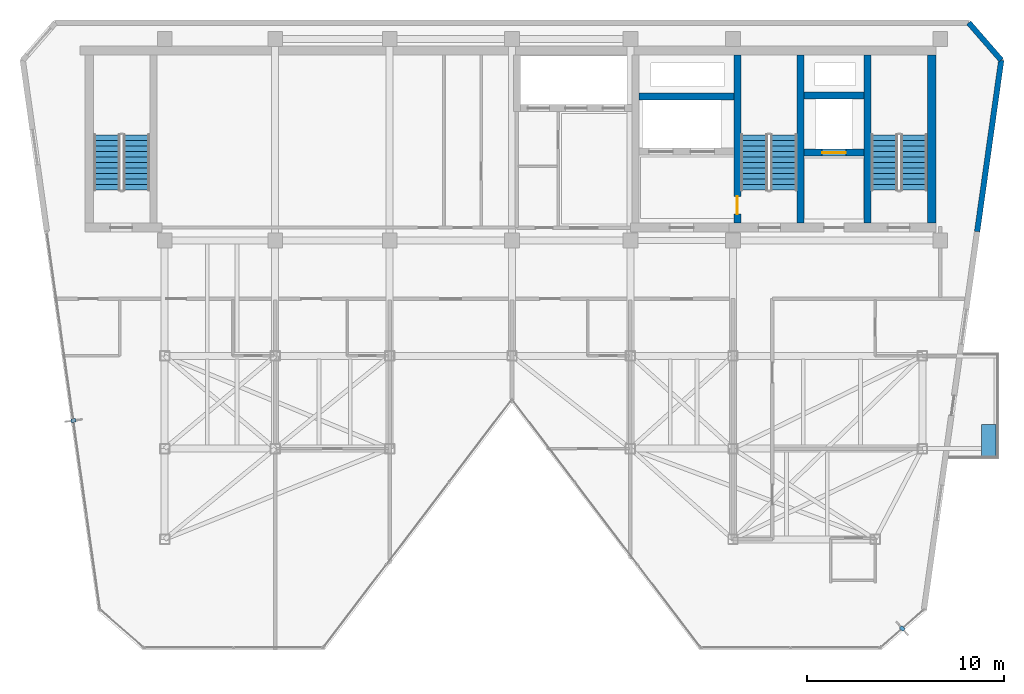
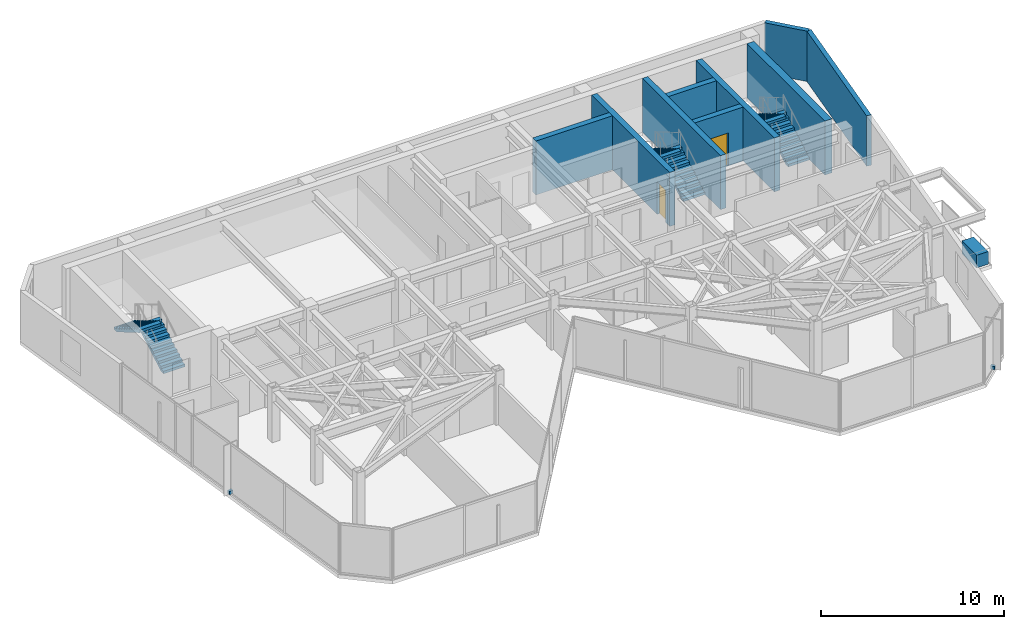
# One storey, part 18 of 20: 9 walls, 6 stair flights, 3 discrete accessories, 2 doors, 2 openings, 3 elements without a shape of their own.
"""IFC4 building model written with IfcOpenShell, lengths in metres."""

from ifc_helpers import new_model, si_unit, direction, frame, frame_2d, origin, origin_2d, place, context, subcontext, project, spatial, polyline, rectangle, outline, extrude, material, layer, layer_set, type_object, element, fill, aggregate, save


model = new_model("IFC4")

# Units and contexts
model_context = context("Model", 3, precision=1e-05, world=origin(), true_north=direction((0.0, 1.0)))
body_context = subcontext(model_context, "Body", "Model", "MODEL_VIEW")
ifc_project = project(units=[si_unit("LENGTHUNIT", "METRE"), si_unit("AREAUNIT", "SQUARE_METRE"), si_unit("VOLUMEUNIT", "CUBIC_METRE"), si_unit("PLANEANGLEUNIT", "RADIAN"), si_unit("MASSUNIT", "GRAM", prefix="KILO")], contexts=[model_context])

# Site, building, storey
site_placement = place(None, origin())
site = spatial("IfcSite", under=ifc_project, at=site_placement, CompositionType="ELEMENT")
building_placement = place(site_placement, origin())
building = spatial("IfcBuilding", under=site, at=building_placement, Name="Kravanh Interchange Tower", CompositionType="ELEMENT")
storey_placement = place(building_placement, frame((0.0, 0.0, 238.199951171875)))
storey = spatial("IfcBuildingStorey", under=building, at=storey_placement, Name="L57", CompositionType="ELEMENT", Elevation=238.199951171875)

# Walls
ifc_material_1 = material(Name="Concrete C60/75", Category="concrete")
ifc_layer_1 = layer(ifc_material_1, 0.35009765625)
ifc_layer_set_1 = layer_set([ifc_layer_1], Name="Core Shear Wall Concrete C60/75 350mm")
wall_type_1 = type_object("IfcWallType", Name="Core Shear Wall Concrete C60/75 350mm", PredefinedType="SHEAR", material=ifc_layer_set_1)
for number, where, z_axis, x_axis, name in (
    (1, (62.824951171875, 38.22509765625, 0.0), (0.0, 0.0, 1.0), (0.0, 1.0, 0.0), "L57 Stair ST1 West Shear Wall"),
    (2, (59.425048828125, 38.22509765625, 0.0), (0.0, 0.0, 1.0), (0.0, 1.0, 0.0), "L57 Stair ST2 East Shear Wall"),
):
    element("IfcWall", number, at=place(storey_placement, frame(where, z_axis=z_axis, x_axis=x_axis)), inside=storey, type_object=wall_type_1, Name=name, PredefinedType="SHEAR", context=body_context, shape_type="SweptSolid", body=[
        extrude(rectangle(XDim=8.52490234375, YDim=0.35009765625, at=frame_2d((4.262451171875, 0.0))), origin(), (0.0, 0.0, 1.0), 3.60009765625),
    ])

# Wall, opening, door
wall_1_placement = place(storey_placement, frame((56.22509765625, 38.22509765625, 0.0), z_axis=(0.0, 0.0, 1.0), x_axis=(0.0, 1.0, 0.0)))
wall_1 = element("IfcWall", 3, at=wall_1_placement, inside=storey, type_object=wall_type_1, Name="L57 Stair ST2 West Shear Wall", PredefinedType="SHEAR", context=body_context, shape_type="SweptSolid", body=[
    extrude(rectangle(XDim=8.52490234375, YDim=0.35009765625, at=frame_2d((4.262451171875, 0.0))), origin(), (0.0, 0.0, 1.0), 3.60009765625),
])
opening_1_placement = place(wall_1_placement, frame((0.455078125, 0.0, 0.0)))
opening_1 = element("IfcOpeningElement", 4, at=opening_1_placement, cuts=wall_1, Name="Opening D-STAIR-90", PredefinedType="OPENING", context=body_context, shape_type="SweptSolid", body=[
    extrude(rectangle(XDim=0.89990234375, YDim=2.14990234375, at=frame_2d((0.449951171875, 1.074951171875))), frame((0.0, 0.18505859375, 0.0), z_axis=(0.0, -1.0, 0.0), x_axis=(1.0, 0.0, 0.0)), (0.0, 0.0, 1.0), 0.3701171875),
])
ifc_material_2 = material(Name="Structural Steel S355", Category="steel")
door_type_1 = type_object("IfcDoorType", Name="Fire-Rated Stair Lobby Door 900x2150", OperationType="NOTDEFINED", PredefinedType="DOOR", material=ifc_material_2)
door_1_placement = place(opening_1_placement, origin())
door_1 = element("IfcDoor", 5, at=door_1_placement, inside=storey, type_object=door_type_1, Name="L57 Firefighting Lobby to Stair ST2 Door", OperationType="SINGLE_SWING_LEFT", OverallHeight=2.14990234375, OverallWidth=0.89990234375, PredefinedType="DOOR", context=body_context, shape_type="SweptSolid", body=[
    extrude(rectangle(XDim=0.89990234375, YDim=2.14990234375, at=frame_2d((0.449951171875, 1.074951171875))), frame((0.0, 0.02490234375, 0.0), z_axis=(0.0, -1.0, 0.0), x_axis=(1.0, 0.0, 0.0)), (0.0, 0.0, 1.0), 0.050048828125),
])
fill(opening_1, door_1)

wall_2_placement = place(storey_placement, frame((59.60009765625, 41.800048828125, 0.0), z_axis=(0.0, 0.0, 1.0), x_axis=(1.0, 0.0, 0.0)))
wall_2 = element("IfcWall", 6, at=wall_2_placement, inside=storey, type_object=wall_type_1, Name="L57 Service Lift Shaft South Wall", PredefinedType="SHEAR", context=body_context, shape_type="SweptSolid", body=[
    extrude(rectangle(XDim=3.0498046875, YDim=0.35009765625, at=frame_2d((1.52490234375, 0.0))), origin(), (0.0, 0.0, 1.0), 3.60009765625),
])
opening_2_placement = place(wall_2_placement, frame((0.919921875, 0.0, 0.0)))
opening_2 = element("IfcOpeningElement", 7, at=opening_2_placement, cuts=wall_2, Name="Opening LD02", PredefinedType="OPENING", context=body_context, shape_type="SweptSolid", body=[
    extrude(rectangle(XDim=1.199951171875, YDim=2.199951171875, at=frame_2d((0.60009765625, 1.10009765625))), frame((0.0, 0.18505859375, 0.0), z_axis=(0.0, -1.0, 0.0), x_axis=(1.0, 0.0, 0.0)), (0.0, 0.0, 1.0), 0.3701171875),
])
ifc_material_3 = material(Name="Stainless Steel 316", Category="steel")
door_type_2 = type_object("IfcDoorType", Name="Fire and Service Lift Sliding Landing Door 1200x2200", OperationType="DOUBLE_DOOR_SLIDING", PredefinedType="DOOR", material=ifc_material_3)
door_2_placement = place(opening_2_placement, origin())
door_2 = element("IfcDoor", 8, at=door_2_placement, inside=storey, type_object=door_type_2, Name="L57 Lift LS-01 Landing Door", OperationType="DOUBLE_DOOR_SLIDING", OverallHeight=2.199951171875, OverallWidth=1.199951171875, PredefinedType="DOOR", context=body_context, shape_type="SweptSolid", body=[
    extrude(rectangle(XDim=1.199951171875, YDim=2.199951171875, at=frame_2d((0.60009765625, 1.10009765625))), frame((0.0, 0.02490234375, 0.0), z_axis=(0.0, -1.0, 0.0), x_axis=(1.0, 0.0, 0.0)), (0.0, 0.0, 1.0), 0.050048828125),
])
fill(opening_2, door_2)

# Walls
wall_3_placement = place(storey_placement, frame((59.60009765625, 44.699951171875, 0.0), z_axis=(0.0, 0.0, 1.0), x_axis=(1.0, 0.0, 0.0)))
element("IfcWall", 9, at=wall_3_placement, inside=storey, type_object=wall_type_1, Name="L57 Service Lift Shaft North Wall", PredefinedType="SHEAR", context=body_context, shape_type="SweptSolid", body=[
    extrude(rectangle(XDim=3.0498046875, YDim=0.35009765625, at=frame_2d((1.52490234375, 0.0))), origin(), (0.0, 0.0, 1.0), 3.60009765625),
])
wall_4_placement = place(storey_placement, frame((51.22509765625, 44.64990234375, 0.0), z_axis=(0.0, 0.0, 1.0), x_axis=(1.0, 0.0, 0.0)))
element("IfcWall", 10, at=wall_4_placement, inside=storey, type_object=wall_type_1, Name="L57 Fire Lift Shaft North Wall", PredefinedType="SHEAR", context=body_context, shape_type="SweptSolid", body=[
    extrude(rectangle(XDim=4.824951171875, YDim=0.35009765625, at=frame_2d((2.41259765625, 0.0))), origin(), (0.0, 0.0, 1.0), 3.60009765625),
])
ifc_material_4 = material(Name="Concrete C60/75", Category="concrete")
ifc_layer_2 = layer(ifc_material_4, 0.449951171875)
ifc_layer_set_2 = layer_set([ifc_layer_2], Name="Core Shear Wall Concrete C60/75 450mm")
wall_type_2 = type_object("IfcWallType", Name="Core Shear Wall Concrete C60/75 450mm", PredefinedType="SHEAR", material=ifc_layer_set_2)
wall_5_placement = place(storey_placement, frame((66.074951171875, 38.22509765625, 0.0), z_axis=(0.0, 0.0, 1.0), x_axis=(0.0, 1.0, 0.0)))
element("IfcWall", 11, at=wall_5_placement, inside=storey, type_object=wall_type_2, Name="L57 Stair ST1 East Shear Wall", PredefinedType="SHEAR", context=body_context, shape_type="SweptSolid", body=[
    extrude(rectangle(XDim=8.52490234375, YDim=0.449951171875, at=frame_2d((4.262451171875, 0.0))), origin(), (0.0, 0.0, 1.0), 3.60009765625),
])
ifc_material_5 = material(Name="Insulated Precast Concrete C40/50 with Bronze Cladding", Category="concrete")
ifc_layer_3 = layer(ifc_material_5, 0.280029296875)
ifc_layer_set_3 = layer_set([ifc_layer_3], Name="Exterior Insulated Concrete C40/50 Bronze Spandrel Wall 280mm")
wall_type_3 = type_object("IfcWallType", Name="Exterior Insulated Concrete C40/50 Bronze Spandrel Wall 280mm", PredefinedType="STANDARD", material=ifc_layer_set_3)
wall_6_placement = place(storey_placement, frame((67.9453125, 48.3798828125, 0.0), z_axis=(0.0, 0.0, 1.0), x_axis=(0.656068147197, -0.75470165379, 0.0)))
element("IfcWall", 12, at=wall_6_placement, inside=storey, type_object=wall_type_3, Name="L57 Exterior Wall 4", PredefinedType="STANDARD", context=body_context, shape_type="SweptSolid", body=[
    extrude(rectangle(XDim=2.514892578125, YDim=0.280029296875, at=frame_2d((1.25732421875, 0.0))), origin(), (0.0, 0.0, 1.0), 3.360107421875),
])
wall_7_placement = place(storey_placement, frame((69.59521484375, 46.48193359375, 0.0), z_axis=(0.0, 0.0, 1.0), x_axis=(-0.139179310088, -0.990267196086, 0.0)))
element("IfcWall", 13, at=wall_7_placement, inside=storey, type_object=wall_type_3, Name="L57 Exterior Wall 5", PredefinedType="STANDARD", context=body_context, shape_type="SweptSolid", body=[
    extrude(rectangle(XDim=8.767333984375, YDim=0.280029296875, at=frame_2d((4.3837890625, 0.0))), origin(), (0.0, 0.0, 1.0), 3.360107421875),
])

# Stair, stair flights
ifc_material_6 = material(Name="Concrete C50/60", Category="concrete")
stair_type = type_object("IfcStairType", Name="Core Fire Exit Dogleg Stair Concrete C50/60", PredefinedType="HALF_TURN_STAIR", material=ifc_material_6)
stair_1_placement = place(storey_placement, origin())
stair_1 = element("IfcStair", 14, at=stair_1_placement, inside=storey, type_object=stair_type, Name="L57 Exit Stair ST1", PredefinedType="HALF_TURN_STAIR")
ifc_material_7 = material(Name="Precast Concrete C50/60", Category="concrete")
ifc_layer_4 = layer(ifc_material_7, 0.199951171875)
ifc_layer_set_4 = layer_set([ifc_layer_4], Name="Precast Concrete C50/60 Stair Flight 1350mm")
stair_flight_type = type_object("IfcStairFlightType", Name="Precast Concrete C50/60 Stair Flight 1350mm", PredefinedType="STRAIGHT", material=ifc_layer_set_4)
stair_flight_1_placement = place(storey_placement, frame((65.175048828125, 39.89990234375, 0.0), z_axis=(0.0, 0.0, 1.0), x_axis=(0.0, 1.0, 0.0)))
stair_flight_1 = element("IfcStairFlight", 15, at=stair_flight_1_placement, type_object=stair_flight_type, Name="ST1 flight 1", NumberOfRisers=11, NumberOfTreads=10, PredefinedType="STRAIGHT", RiserHeight=0.163636364, TreadLength=0.28, context=body_context, shape_type="SweptSolid", body=[
    extrude(outline(polyline([(0.0, 0.0), (0.0, 0.16357421875), (0.280029296875, 0.16357421875), (0.280029296875, 0.327392578125), (0.56005859375, 0.327392578125), (0.56005859375, 0.490966796875), (0.840087890625, 0.490966796875), (0.840087890625, 0.654541015625), (1.1201171875, 0.654541015625), (1.1201171875, 0.818115234375), (1.39990234375, 0.818115234375), (1.39990234375, 0.98193359375), (1.679931640625, 0.98193359375), (1.679931640625, 1.1455078125), (1.9599609375, 1.1455078125), (1.9599609375, 1.30908203125), (2.239990234375, 1.30908203125), (2.239990234375, 1.47265625), (2.52001953125, 1.47265625), (2.52001953125, 1.636474609375), (2.800048828125, 1.636474609375), (2.800048828125, 1.800048828125), (2.800048828125, 1.462646484375), (0.297119140625, 0.0), (0.0, 0.0)])), frame((0.0, 0.675048828125, 0.0), z_axis=(0.0, -1.0, 0.0), x_axis=(1.0, 0.0, 0.0)), (0.0, 0.0, 1.0), 1.35009765625),
])
stair_flight_2_placement = place(storey_placement, frame((63.675048828125, 42.699951171875, 1.800048828125), z_axis=(0.0, 0.0, 1.0), x_axis=(0.0, -1.0, 0.0)))
stair_flight_2 = element("IfcStairFlight", 16, at=stair_flight_2_placement, type_object=stair_flight_type, Name="ST1 flight 2", NumberOfRisers=11, NumberOfTreads=10, PredefinedType="STRAIGHT", RiserHeight=0.163636364, TreadLength=0.28, context=body_context, shape_type="SweptSolid", body=[
    extrude(outline(polyline([(0.0, 0.0), (0.0, 0.16357421875), (0.280029296875, 0.16357421875), (0.280029296875, 0.327392578125), (0.56005859375, 0.327392578125), (0.56005859375, 0.490966796875), (0.840087890625, 0.490966796875), (0.840087890625, 0.654541015625), (1.1201171875, 0.654541015625), (1.1201171875, 0.818115234375), (1.39990234375, 0.818115234375), (1.39990234375, 0.98193359375), (1.679931640625, 0.98193359375), (1.679931640625, 1.1455078125), (1.9599609375, 1.1455078125), (1.9599609375, 1.30908203125), (2.239990234375, 1.30908203125), (2.239990234375, 1.47265625), (2.52001953125, 1.47265625), (2.52001953125, 1.636474609375), (2.800048828125, 1.636474609375), (2.800048828125, 1.800048828125), (2.800048828125, 1.462646484375), (0.297119140625, 0.0), (0.0, 0.0)])), frame((0.0, 0.675048828125, 0.0), z_axis=(0.0, -1.0, 0.0), x_axis=(1.0, 0.0, 0.0)), (0.0, 0.0, 1.0), 1.35009765625),
])
aggregate(stair_1, [stair_flight_1, stair_flight_2])

stair_2_placement = place(storey_placement, origin())
stair_2 = element("IfcStair", 17, at=stair_2_placement, inside=storey, type_object=stair_type, Name="L57 Exit Stair ST2", PredefinedType="HALF_TURN_STAIR")
stair_flight_3_placement = place(storey_placement, frame((58.574951171875, 39.89990234375, 0.0), z_axis=(0.0, 0.0, 1.0), x_axis=(0.0, 1.0, 0.0)))
stair_flight_3 = element("IfcStairFlight", 18, at=stair_flight_3_placement, type_object=stair_flight_type, Name="ST2 flight 1", NumberOfRisers=11, NumberOfTreads=10, PredefinedType="STRAIGHT", RiserHeight=0.163636364, TreadLength=0.28, context=body_context, shape_type="SweptSolid", body=[
    extrude(outline(polyline([(0.0, 0.0), (0.0, 0.16357421875), (0.280029296875, 0.16357421875), (0.280029296875, 0.327392578125), (0.56005859375, 0.327392578125), (0.56005859375, 0.490966796875), (0.840087890625, 0.490966796875), (0.840087890625, 0.654541015625), (1.1201171875, 0.654541015625), (1.1201171875, 0.818115234375), (1.39990234375, 0.818115234375), (1.39990234375, 0.98193359375), (1.679931640625, 0.98193359375), (1.679931640625, 1.1455078125), (1.9599609375, 1.1455078125), (1.9599609375, 1.30908203125), (2.239990234375, 1.30908203125), (2.239990234375, 1.47265625), (2.52001953125, 1.47265625), (2.52001953125, 1.636474609375), (2.800048828125, 1.636474609375), (2.800048828125, 1.800048828125), (2.800048828125, 1.462646484375), (0.297119140625, 0.0), (0.0, 0.0)])), frame((0.0, 0.675048828125, 0.0), z_axis=(0.0, -1.0, 0.0), x_axis=(1.0, 0.0, 0.0)), (0.0, 0.0, 1.0), 1.35009765625),
])
stair_flight_4_placement = place(storey_placement, frame((57.074951171875, 42.699951171875, 1.800048828125), z_axis=(0.0, 0.0, 1.0), x_axis=(0.0, -1.0, 0.0)))
stair_flight_4 = element("IfcStairFlight", 19, at=stair_flight_4_placement, type_object=stair_flight_type, Name="ST2 flight 2", NumberOfRisers=11, NumberOfTreads=10, PredefinedType="STRAIGHT", RiserHeight=0.163636364, TreadLength=0.28, context=body_context, shape_type="SweptSolid", body=[
    extrude(outline(polyline([(0.0, 0.0), (0.0, 0.16357421875), (0.280029296875, 0.16357421875), (0.280029296875, 0.327392578125), (0.56005859375, 0.327392578125), (0.56005859375, 0.490966796875), (0.840087890625, 0.490966796875), (0.840087890625, 0.654541015625), (1.1201171875, 0.654541015625), (1.1201171875, 0.818115234375), (1.39990234375, 0.818115234375), (1.39990234375, 0.98193359375), (1.679931640625, 0.98193359375), (1.679931640625, 1.1455078125), (1.9599609375, 1.1455078125), (1.9599609375, 1.30908203125), (2.239990234375, 1.30908203125), (2.239990234375, 1.47265625), (2.52001953125, 1.47265625), (2.52001953125, 1.636474609375), (2.800048828125, 1.636474609375), (2.800048828125, 1.800048828125), (2.800048828125, 1.462646484375), (0.297119140625, 0.0), (0.0, 0.0)])), frame((0.0, 0.675048828125, 0.0), z_axis=(0.0, -1.0, 0.0), x_axis=(1.0, 0.0, 0.0)), (0.0, 0.0, 1.0), 1.35009765625),
])
aggregate(stair_2, [stair_flight_3, stair_flight_4])

stair_3_placement = place(storey_placement, origin())
stair_3 = element("IfcStair", 20, at=stair_3_placement, inside=storey, type_object=stair_type, Name="L57 Exit Stair ST3", PredefinedType="HALF_TURN_STAIR")
stair_flight_5_placement = place(storey_placement, frame((25.77490234375, 39.89990234375, 0.0), z_axis=(0.0, 0.0, 1.0), x_axis=(0.0, 1.0, 0.0)))
stair_flight_5 = element("IfcStairFlight", 21, at=stair_flight_5_placement, type_object=stair_flight_type, Name="ST3 flight 1", NumberOfRisers=11, NumberOfTreads=10, PredefinedType="STRAIGHT", RiserHeight=0.163636364, TreadLength=0.28, context=body_context, shape_type="SweptSolid", body=[
    extrude(outline(polyline([(0.0, 0.0), (0.0, 0.16357421875), (0.280029296875, 0.16357421875), (0.280029296875, 0.327392578125), (0.56005859375, 0.327392578125), (0.56005859375, 0.490966796875), (0.840087890625, 0.490966796875), (0.840087890625, 0.654541015625), (1.1201171875, 0.654541015625), (1.1201171875, 0.818115234375), (1.39990234375, 0.818115234375), (1.39990234375, 0.98193359375), (1.679931640625, 0.98193359375), (1.679931640625, 1.1455078125), (1.9599609375, 1.1455078125), (1.9599609375, 1.30908203125), (2.239990234375, 1.30908203125), (2.239990234375, 1.47265625), (2.52001953125, 1.47265625), (2.52001953125, 1.636474609375), (2.800048828125, 1.636474609375), (2.800048828125, 1.800048828125), (2.800048828125, 1.462646484375), (0.297119140625, 0.0), (0.0, 0.0)])), frame((0.0, 0.675048828125, 0.0), z_axis=(0.0, -1.0, 0.0), x_axis=(1.0, 0.0, 0.0)), (0.0, 0.0, 1.0), 1.35009765625),
])
stair_flight_6_placement = place(storey_placement, frame((24.27490234375, 42.699951171875, 1.800048828125), z_axis=(0.0, 0.0, 1.0), x_axis=(0.0, -1.0, 0.0)))
stair_flight_6 = element("IfcStairFlight", 22, at=stair_flight_6_placement, type_object=stair_flight_type, Name="ST3 flight 2", NumberOfRisers=11, NumberOfTreads=10, PredefinedType="STRAIGHT", RiserHeight=0.163636364, TreadLength=0.28, context=body_context, shape_type="SweptSolid", body=[
    extrude(outline(polyline([(0.0, 0.0), (0.0, 0.16357421875), (0.280029296875, 0.16357421875), (0.280029296875, 0.327392578125), (0.56005859375, 0.327392578125), (0.56005859375, 0.490966796875), (0.840087890625, 0.490966796875), (0.840087890625, 0.654541015625), (1.1201171875, 0.654541015625), (1.1201171875, 0.818115234375), (1.39990234375, 0.818115234375), (1.39990234375, 0.98193359375), (1.679931640625, 0.98193359375), (1.679931640625, 1.1455078125), (1.9599609375, 1.1455078125), (1.9599609375, 1.30908203125), (2.239990234375, 1.30908203125), (2.239990234375, 1.47265625), (2.52001953125, 1.47265625), (2.52001953125, 1.636474609375), (2.800048828125, 1.636474609375), (2.800048828125, 1.800048828125), (2.800048828125, 1.462646484375), (0.297119140625, 0.0), (0.0, 0.0)])), frame((0.0, 0.675048828125, 0.0), z_axis=(0.0, -1.0, 0.0), x_axis=(1.0, 0.0, 0.0)), (0.0, 0.0, 1.0), 1.35009765625),
])
aggregate(stair_3, [stair_flight_5, stair_flight_6])

# Discrete accessories
ifc_material_8 = material(Name="Stainless Steel 316", Category="steel")
discrete_accessory_type_1 = type_object("IfcDiscreteAccessoryType", Name="Solar Fin Curtain-Wall Mounting Bracket Stainless 316", PredefinedType="BRACKET", material=ifc_material_8)
for number, where, z_axis, x_axis, name in (
    (23, (22.5712890625, 28.220703125, 0.0), (0.0, 0.0, 1.0), (-0.990267924056, -0.139174130448, 0.0), "L57 Solar Fin Mounting Bracket 1"),
    (24, (64.5771484375, 17.680908203125, 0.0), (0.0, 0.0, 1.0), (0.656043386928, -0.754723177376, 0.0), "L57 Solar Fin Mounting Bracket 2"),
):
    element("IfcDiscreteAccessory", number, at=place(storey_placement, frame(where, z_axis=z_axis, x_axis=x_axis)), inside=storey, type_object=discrete_accessory_type_1, Name=name, PredefinedType="BRACKET", context=body_context, shape_type="SweptSolid", body=[
        extrude(rectangle(XDim=0.239990234375, YDim=0.179931640625, at=origin_2d()), origin(), (0.0, 0.0, 1.0), 0.219970703125),
    ])
ifc_material_9 = material(Name="Architectural GRC Concrete C40/50 with Root Barrier", Category="concrete")
discrete_accessory_type_2 = type_object("IfcDiscreteAccessoryType", Name="Structural Balcony Tree Planter Box Concrete C40/50 1600x750x850", PredefinedType="USERDEFINED", material=ifc_material_9)
discrete_accessory_placement = place(storey_placement, frame((68.965087890625, 27.219970703125, 0.0), z_axis=(0.0, 0.0, 1.0), x_axis=(1.0, 0.0, 0.0)))
element("IfcDiscreteAccessory", 25, at=discrete_accessory_placement, inside=storey, type_object=discrete_accessory_type_2, Name="L57 E Balcony TREE PLANTER", ObjectType="PLANTER", PredefinedType="USERDEFINED", context=body_context, shape_type="SweptSolid", body=[
    extrude(rectangle(XDim=0.75, YDim=1.60009765625, at=origin_2d()), origin(), (0.0, 0.0, 1.0), 0.85009765625),
])

save(model, "model.ifc")
